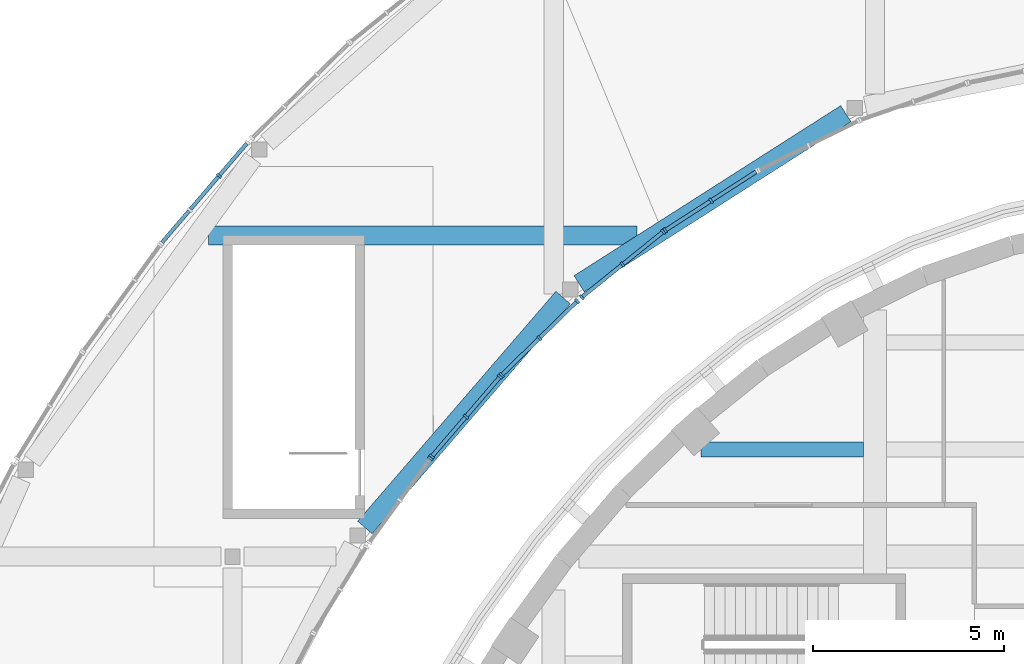
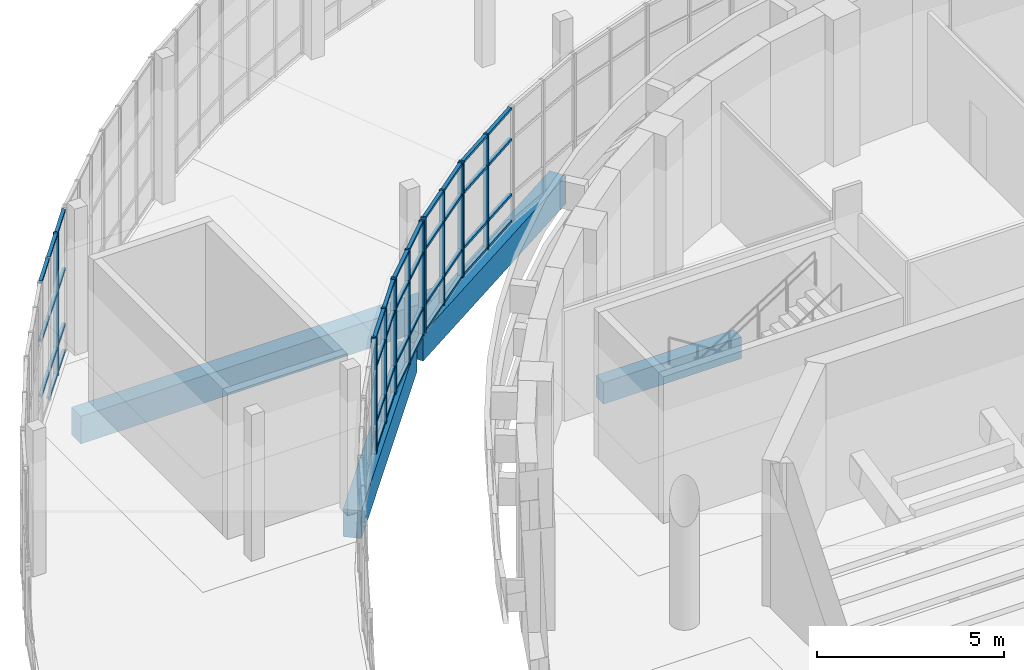
# One storey, part 19 of 103: 56 members, 4 beams, 6 elements without a shape of their own.
"""IFC4 building model written with IfcOpenShell, lengths in metres."""

from ifc_helpers import new_model, si_unit, direction, frame, origin, origin_2d, place, context, subcontext, project, spatial, rectangle, extrude, material, layer, layer_set, material_profile, profile_set, type_object, element, aggregate, save


model = new_model("IFC4")

# Units and contexts
model_context = context("Model", 3, precision=1e-05, world=origin(), true_north=direction((0.0, 1.0)))
body_context = subcontext(model_context, "Body", "Model", "MODEL_VIEW")
ifc_project = project(units=[si_unit("LENGTHUNIT", "METRE"), si_unit("AREAUNIT", "SQUARE_METRE"), si_unit("VOLUMEUNIT", "CUBIC_METRE"), si_unit("PLANEANGLEUNIT", "RADIAN"), si_unit("MASSUNIT", "GRAM", prefix="KILO")], contexts=[model_context])

# Site, building, storey
site_placement = place(None, origin())
site = spatial("IfcSite", under=ifc_project, at=site_placement, CompositionType="ELEMENT")
building_placement = place(site_placement, origin())
building = spatial("IfcBuilding", under=site, at=building_placement, Name="Larchfold Concert Hall", CompositionType="ELEMENT")
storey_placement = place(building_placement, frame((0.0, 0.0, 9.60009765625)))
storey = spatial("IfcBuildingStorey", under=building, at=storey_placement, Name="L02", CompositionType="ELEMENT", Elevation=9.60009765625)

# Curtain wall, member
ifc_material_1 = material(Name="Anodised graphite aluminium curtain wall", Category="aluminium")
ifc_layer = layer(ifc_material_1, 0.14990234375)
ifc_layer_set = layer_set([ifc_layer], Name="Anodised graphite aluminium curtain wall")
curtain_wall_type = type_object("IfcCurtainWallType", Name="Curtain wall WG", PredefinedType="NOTDEFINED", material=ifc_layer_set)
curtain_wall_1_placement = place(storey_placement, origin())
curtain_wall_1 = element("IfcCurtainWall", 1, at=curtain_wall_1_placement, inside=storey, type_object=curtain_wall_type, Name="Curtain wall CW0234", PredefinedType="NOTDEFINED")
ifc_material_2 = material(Name="Anodised graphite aluminium mullion", Category="aluminium")
ifc_material_profile_1 = material_profile(ifc_material_2, rectangle(XDim=0.14990234375, YDim=0.06005859375, at=origin_2d()))
ifc_profile_set_1 = profile_set([ifc_material_profile_1], Name="Anodised graphite aluminium mullion")
member_type_1 = type_object("IfcMemberType", Name="Aluminium mullion 60x150", PredefinedType="MULLION", material=ifc_profile_set_1)
member_1_placement = place(storey_placement, frame((22.573974609375, 112.37158203125, 0.0), z_axis=(0.0, 0.0, 1.0), x_axis=(-0.809901790947, 0.586565502753, 0.0)))
member_1 = element("IfcMember", 2, at=member_1_placement, type_object=member_type_1, Name="CW0234 mullion 3", PredefinedType="MULLION", context=body_context, shape_type="SweptSolid", body=[
    extrude(rectangle(XDim=0.14990234375, YDim=0.06005859375, at=origin_2d()), origin(), (0.0, 0.0, 1.0), 3.75),
])
aggregate(curtain_wall_1, [member_1])

# Curtain wall, members
curtain_wall_2_placement = place(storey_placement, origin())
curtain_wall_2 = element("IfcCurtainWall", 3, at=curtain_wall_2_placement, inside=storey, type_object=curtain_wall_type, Name="Curtain wall CW0235", PredefinedType="NOTDEFINED")
member_2_placement = place(storey_placement, frame((22.611083984375, 112.418701171875, 0.0), z_axis=(0.0, 0.0, 1.0), x_axis=(-0.759495997398, 0.650511975245, 0.0)))
member_2 = element("IfcMember", 4, at=member_2_placement, type_object=member_type_1, Name="CW0235 mullion 1", PredefinedType="MULLION", context=body_context, shape_type="SweptSolid", body=[
    extrude(rectangle(XDim=0.14990234375, YDim=0.06005859375, at=origin_2d()), origin(), (0.0, 0.0, 1.0), 3.75),
])
member_3_placement = place(storey_placement, frame((23.504638671875, 113.4619140625, 0.0), z_axis=(0.0, 0.0, 1.0), x_axis=(-0.759495997398, 0.650511975245, 0.0)))
member_3 = element("IfcMember", 5, at=member_3_placement, type_object=member_type_1, Name="CW0235 mullion 2", PredefinedType="MULLION", context=body_context, shape_type="SweptSolid", body=[
    extrude(rectangle(XDim=0.14990234375, YDim=0.06005859375, at=origin_2d()), origin(), (0.0, 0.0, 1.0), 3.75),
])
member_4_placement = place(storey_placement, frame((24.39794921875, 114.505126953125, 0.0), z_axis=(0.0, 0.0, 1.0), x_axis=(-0.759495997398, 0.650511975245, 0.0)))
member_4 = element("IfcMember", 6, at=member_4_placement, type_object=member_type_1, Name="CW0235 mullion 3", PredefinedType="MULLION", context=body_context, shape_type="SweptSolid", body=[
    extrude(rectangle(XDim=0.14990234375, YDim=0.06005859375, at=origin_2d()), origin(), (0.0, 0.0, 1.0), 3.75),
])

curtain_wall_3_placement = place(storey_placement, origin())
curtain_wall_3 = element("IfcCurtainWall", 7, at=curtain_wall_3_placement, inside=storey, type_object=curtain_wall_type, Name="Curtain wall CW0236", PredefinedType="NOTDEFINED")
member_5_placement = place(storey_placement, frame((24.43896484375, 114.548828125, 0.0), z_axis=(0.0, 0.0, 1.0), x_axis=(-0.699104857997, 0.715019158852, 0.0)))
member_5 = element("IfcMember", 8, at=member_5_placement, type_object=member_type_1, Name="CW0236 mullion 1", PredefinedType="MULLION", context=body_context, shape_type="SweptSolid", body=[
    extrude(rectangle(XDim=0.14990234375, YDim=0.06005859375, at=origin_2d()), origin(), (0.0, 0.0, 1.0), 3.75),
])
member_6_placement = place(storey_placement, frame((25.4267578125, 115.514404296875, 0.0), z_axis=(0.0, 0.0, 1.0), x_axis=(-0.699104857997, 0.715019158852, 0.0)))
member_6 = element("IfcMember", 9, at=member_6_placement, type_object=member_type_1, Name="CW0236 mullion 2", PredefinedType="MULLION", context=body_context, shape_type="SweptSolid", body=[
    extrude(rectangle(XDim=0.14990234375, YDim=0.06005859375, at=origin_2d()), origin(), (0.0, 0.0, 1.0), 3.75),
])
member_7_placement = place(storey_placement, frame((26.414306640625, 116.480224609375, 0.0), z_axis=(0.0, 0.0, 1.0), x_axis=(-0.699104857997, 0.715019158852, 0.0)))
member_7 = element("IfcMember", 10, at=member_7_placement, type_object=member_type_1, Name="CW0236 mullion 3", PredefinedType="MULLION", context=body_context, shape_type="SweptSolid", body=[
    extrude(rectangle(XDim=0.14990234375, YDim=0.06005859375, at=origin_2d()), origin(), (0.0, 0.0, 1.0), 3.75),
])

curtain_wall_4_placement = place(storey_placement, origin())
curtain_wall_4 = element("IfcCurtainWall", 11, at=curtain_wall_4_placement, inside=storey, type_object=curtain_wall_type, Name="Curtain wall CW0237", PredefinedType="NOTDEFINED")
member_8_placement = place(storey_placement, frame((26.534423828125, 116.582763671875, 0.0), z_axis=(0.0, 0.0, 1.0), x_axis=(-0.626970640311, 0.779042884691, 0.0)))
member_8 = element("IfcMember", 12, at=member_8_placement, type_object=member_type_1, Name="CW0237 mullion 1", PredefinedType="MULLION", context=body_context, shape_type="SweptSolid", body=[
    extrude(rectangle(XDim=0.14990234375, YDim=0.06005859375, at=origin_2d()), origin(), (0.0, 0.0, 1.0), 3.75),
])
member_9_placement = place(storey_placement, frame((27.600341796875, 117.440673828125, 0.0), z_axis=(0.0, 0.0, 1.0), x_axis=(-0.626970640311, 0.779042884691, 0.0)))
member_9 = element("IfcMember", 13, at=member_9_placement, type_object=member_type_1, Name="CW0237 mullion 2", PredefinedType="MULLION", context=body_context, shape_type="SweptSolid", body=[
    extrude(rectangle(XDim=0.14990234375, YDim=0.06005859375, at=origin_2d()), origin(), (0.0, 0.0, 1.0), 3.75),
])
member_10_placement = place(storey_placement, frame((28.666259765625, 118.298583984375, 0.0), z_axis=(0.0, 0.0, 1.0), x_axis=(-0.626970640311, 0.779042884691, 0.0)))
member_10 = element("IfcMember", 14, at=member_10_placement, type_object=member_type_1, Name="CW0237 mullion 3", PredefinedType="MULLION", context=body_context, shape_type="SweptSolid", body=[
    extrude(rectangle(XDim=0.14990234375, YDim=0.06005859375, at=origin_2d()), origin(), (0.0, 0.0, 1.0), 3.75),
])

curtain_wall_5_placement = place(storey_placement, origin())
curtain_wall_5 = element("IfcCurtainWall", 15, at=curtain_wall_5_placement, inside=storey, type_object=curtain_wall_type, Name="Curtain wall CW0238", PredefinedType="NOTDEFINED")
member_11_placement = place(storey_placement, frame((28.71484375, 118.333740234375, 0.0), z_axis=(0.0, 0.0, 1.0), x_axis=(-0.541844610619, 0.840478683813, 0.0)))
member_11 = element("IfcMember", 16, at=member_11_placement, type_object=member_type_1, Name="CW0238 mullion 1", PredefinedType="MULLION", context=body_context, shape_type="SweptSolid", body=[
    extrude(rectangle(XDim=0.14990234375, YDim=0.06005859375, at=origin_2d()), origin(), (0.0, 0.0, 1.0), 3.75),
])
member_12_placement = place(storey_placement, frame((29.915283203125, 119.107421875, 0.0), z_axis=(0.0, 0.0, 1.0), x_axis=(-0.541844610619, 0.840478683813, 0.0)))
member_12 = element("IfcMember", 17, at=member_12_placement, type_object=member_type_1, Name="CW0238 mullion 2", PredefinedType="MULLION", context=body_context, shape_type="SweptSolid", body=[
    extrude(rectangle(XDim=0.14990234375, YDim=0.06005859375, at=origin_2d()), origin(), (0.0, 0.0, 1.0), 3.75),
])

# Curtain wall, member
curtain_wall_6_placement = place(storey_placement, origin())
curtain_wall_6 = element("IfcCurtainWall", 18, at=curtain_wall_6_placement, inside=storey, type_object=curtain_wall_type, Name="Curtain wall CW0262", PredefinedType="NOTDEFINED")
member_13_placement = place(storey_placement, frame((17.04736328125, 119.758056640625, 0.0), z_axis=(0.0, 0.0, 1.0), x_axis=(0.759452023093, -0.650563313306, 0.0)))
member_13 = element("IfcMember", 19, at=member_13_placement, type_object=member_type_1, Name="CW0262 mullion 2", PredefinedType="MULLION", context=body_context, shape_type="SweptSolid", body=[
    extrude(rectangle(XDim=0.14990234375, YDim=0.06005859375, at=origin_2d()), origin(), (0.0, 0.0, 1.0), 4.64990234375),
])

# Member
ifc_material_3 = material(Name="Anodised graphite aluminium transom", Category="aluminium")
ifc_material_profile_2 = material_profile(ifc_material_3, rectangle(XDim=0.10009765625, YDim=0.080078125, at=origin_2d()))
ifc_profile_set_2 = profile_set([ifc_material_profile_2], Name="Anodised graphite aluminium transom")
member_type_2 = type_object("IfcMemberType", Name="Aluminium transom 80x100", PredefinedType="USERDEFINED", material=ifc_profile_set_2)
member_14_placement = place(storey_placement, frame((22.630615234375, 112.441650390625, 0.0400390625), z_axis=(0.650546428002, 0.759466487091, 0.0), x_axis=(-0.759466487091, 0.650546428002, 0.0)))
member_14 = element("IfcMember", 20, at=member_14_placement, type_object=member_type_2, Name="CW0235 transom 1.1", ObjectType="TRANSOM", PredefinedType="USERDEFINED", context=body_context, shape_type="SweptSolid", body=[
    extrude(rectangle(XDim=0.10009765625, YDim=0.080078125, at=origin_2d()), origin(), (0.0, 0.0, 1.0), 1.3134765625),
])

member_15_placement = place(storey_placement, frame((22.630615234375, 112.441650390625, 0.89990234375), z_axis=(0.650546428002, 0.759466487091, 0.0), x_axis=(-0.759466487091, 0.650546428002, 0.0)))
member_15 = element("IfcMember", 21, at=member_15_placement, type_object=member_type_2, Name="CW0235 transom 1.2", ObjectType="TRANSOM", PredefinedType="USERDEFINED", context=body_context, shape_type="SweptSolid", body=[
    extrude(rectangle(XDim=0.10009765625, YDim=0.080078125, at=origin_2d()), origin(), (0.0, 0.0, 1.0), 1.3134765625),
])

member_16_placement = place(storey_placement, frame((22.630615234375, 112.441650390625, 2.699951171875), z_axis=(0.650546428002, 0.759466487091, 0.0), x_axis=(-0.759466487091, 0.650546428002, 0.0)))
member_16 = element("IfcMember", 22, at=member_16_placement, type_object=member_type_2, Name="CW0235 transom 1.3", ObjectType="TRANSOM", PredefinedType="USERDEFINED", context=body_context, shape_type="SweptSolid", body=[
    extrude(rectangle(XDim=0.10009765625, YDim=0.080078125, at=origin_2d()), origin(), (0.0, 0.0, 1.0), 1.3134765625),
])

member_17_placement = place(storey_placement, frame((22.630615234375, 112.441650390625, 3.7099609375), z_axis=(0.650546428002, 0.759466487091, 0.0), x_axis=(-0.759466487091, 0.650546428002, 0.0)))
member_17 = element("IfcMember", 23, at=member_17_placement, type_object=member_type_2, Name="CW0235 transom 1.4", ObjectType="TRANSOM", PredefinedType="USERDEFINED", context=body_context, shape_type="SweptSolid", body=[
    extrude(rectangle(XDim=0.10009765625, YDim=0.080078125, at=origin_2d()), origin(), (0.0, 0.0, 1.0), 1.3134765625),
])

member_18_placement = place(storey_placement, frame((23.52392578125, 113.484619140625, 0.0400390625), z_axis=(0.650546428002, 0.759466487091, 0.0), x_axis=(-0.759466487091, 0.650546428002, 0.0)))
member_18 = element("IfcMember", 24, at=member_18_placement, type_object=member_type_2, Name="CW0235 transom 2.1", ObjectType="TRANSOM", PredefinedType="USERDEFINED", context=body_context, shape_type="SweptSolid", body=[
    extrude(rectangle(XDim=0.10009765625, YDim=0.080078125, at=origin_2d()), origin(), (0.0, 0.0, 1.0), 1.3134765625),
])

member_19_placement = place(storey_placement, frame((23.52392578125, 113.484619140625, 0.89990234375), z_axis=(0.650546428002, 0.759466487091, 0.0), x_axis=(-0.759466487091, 0.650546428002, 0.0)))
member_19 = element("IfcMember", 25, at=member_19_placement, type_object=member_type_2, Name="CW0235 transom 2.2", ObjectType="TRANSOM", PredefinedType="USERDEFINED", context=body_context, shape_type="SweptSolid", body=[
    extrude(rectangle(XDim=0.10009765625, YDim=0.080078125, at=origin_2d()), origin(), (0.0, 0.0, 1.0), 1.3134765625),
])

member_20_placement = place(storey_placement, frame((23.52392578125, 113.484619140625, 2.699951171875), z_axis=(0.650546428002, 0.759466487091, 0.0), x_axis=(-0.759466487091, 0.650546428002, 0.0)))
member_20 = element("IfcMember", 26, at=member_20_placement, type_object=member_type_2, Name="CW0235 transom 2.3", ObjectType="TRANSOM", PredefinedType="USERDEFINED", context=body_context, shape_type="SweptSolid", body=[
    extrude(rectangle(XDim=0.10009765625, YDim=0.080078125, at=origin_2d()), origin(), (0.0, 0.0, 1.0), 1.3134765625),
])

member_21_placement = place(storey_placement, frame((23.52392578125, 113.484619140625, 3.7099609375), z_axis=(0.650546428002, 0.759466487091, 0.0), x_axis=(-0.759466487091, 0.650546428002, 0.0)))
member_21 = element("IfcMember", 27, at=member_21_placement, type_object=member_type_2, Name="CW0235 transom 2.4", ObjectType="TRANSOM", PredefinedType="USERDEFINED", context=body_context, shape_type="SweptSolid", body=[
    extrude(rectangle(XDim=0.10009765625, YDim=0.080078125, at=origin_2d()), origin(), (0.0, 0.0, 1.0), 1.3134765625),
])

aggregate(curtain_wall_2, [member_2, member_3, member_4, member_14, member_15, member_16, member_17, member_18, member_19, member_20, member_21])

member_22_placement = place(storey_placement, frame((24.46044921875, 114.56982421875, 0.0400390625), z_axis=(0.715006669013, 0.699117631924, 0.0), x_axis=(-0.699117631924, 0.715006669013, 0.0)))
member_22 = element("IfcMember", 28, at=member_22_placement, type_object=member_type_2, Name="CW0236 transom 1.1", ObjectType="TRANSOM", PredefinedType="USERDEFINED", context=body_context, shape_type="SweptSolid", body=[
    extrude(rectangle(XDim=0.10009765625, YDim=0.080078125, at=origin_2d()), origin(), (0.0, 0.0, 1.0), 1.321533203125),
])

member_23_placement = place(storey_placement, frame((24.46044921875, 114.56982421875, 0.89990234375), z_axis=(0.715006669013, 0.699117631924, 0.0), x_axis=(-0.699117631924, 0.715006669013, 0.0)))
member_23 = element("IfcMember", 29, at=member_23_placement, type_object=member_type_2, Name="CW0236 transom 1.2", ObjectType="TRANSOM", PredefinedType="USERDEFINED", context=body_context, shape_type="SweptSolid", body=[
    extrude(rectangle(XDim=0.10009765625, YDim=0.080078125, at=origin_2d()), origin(), (0.0, 0.0, 1.0), 1.321533203125),
])

member_24_placement = place(storey_placement, frame((24.46044921875, 114.56982421875, 2.699951171875), z_axis=(0.715006669013, 0.699117631924, 0.0), x_axis=(-0.699117631924, 0.715006669013, 0.0)))
member_24 = element("IfcMember", 30, at=member_24_placement, type_object=member_type_2, Name="CW0236 transom 1.3", ObjectType="TRANSOM", PredefinedType="USERDEFINED", context=body_context, shape_type="SweptSolid", body=[
    extrude(rectangle(XDim=0.10009765625, YDim=0.080078125, at=origin_2d()), origin(), (0.0, 0.0, 1.0), 1.321533203125),
])

member_25_placement = place(storey_placement, frame((24.46044921875, 114.56982421875, 3.7099609375), z_axis=(0.715006669013, 0.699117631924, 0.0), x_axis=(-0.699117631924, 0.715006669013, 0.0)))
member_25 = element("IfcMember", 31, at=member_25_placement, type_object=member_type_2, Name="CW0236 transom 1.4", ObjectType="TRANSOM", PredefinedType="USERDEFINED", context=body_context, shape_type="SweptSolid", body=[
    extrude(rectangle(XDim=0.10009765625, YDim=0.080078125, at=origin_2d()), origin(), (0.0, 0.0, 1.0), 1.321533203125),
])

member_26_placement = place(storey_placement, frame((25.447998046875, 115.535400390625, 0.0400390625), z_axis=(0.715006669013, 0.699117631924, 0.0), x_axis=(-0.699117631924, 0.715006669013, 0.0)))
member_26 = element("IfcMember", 32, at=member_26_placement, type_object=member_type_2, Name="CW0236 transom 2.1", ObjectType="TRANSOM", PredefinedType="USERDEFINED", context=body_context, shape_type="SweptSolid", body=[
    extrude(rectangle(XDim=0.10009765625, YDim=0.080078125, at=origin_2d()), origin(), (0.0, 0.0, 1.0), 1.321533203125),
])

member_27_placement = place(storey_placement, frame((25.447998046875, 115.535400390625, 0.89990234375), z_axis=(0.715006669013, 0.699117631924, 0.0), x_axis=(-0.699117631924, 0.715006669013, 0.0)))
member_27 = element("IfcMember", 33, at=member_27_placement, type_object=member_type_2, Name="CW0236 transom 2.2", ObjectType="TRANSOM", PredefinedType="USERDEFINED", context=body_context, shape_type="SweptSolid", body=[
    extrude(rectangle(XDim=0.10009765625, YDim=0.080078125, at=origin_2d()), origin(), (0.0, 0.0, 1.0), 1.321533203125),
])

member_28_placement = place(storey_placement, frame((25.447998046875, 115.535400390625, 2.699951171875), z_axis=(0.715006669013, 0.699117631924, 0.0), x_axis=(-0.699117631924, 0.715006669013, 0.0)))
member_28 = element("IfcMember", 34, at=member_28_placement, type_object=member_type_2, Name="CW0236 transom 2.3", ObjectType="TRANSOM", PredefinedType="USERDEFINED", context=body_context, shape_type="SweptSolid", body=[
    extrude(rectangle(XDim=0.10009765625, YDim=0.080078125, at=origin_2d()), origin(), (0.0, 0.0, 1.0), 1.321533203125),
])

member_29_placement = place(storey_placement, frame((25.447998046875, 115.535400390625, 3.7099609375), z_axis=(0.715006669013, 0.699117631924, 0.0), x_axis=(-0.699117631924, 0.715006669013, 0.0)))
member_29 = element("IfcMember", 35, at=member_29_placement, type_object=member_type_2, Name="CW0236 transom 2.4", ObjectType="TRANSOM", PredefinedType="USERDEFINED", context=body_context, shape_type="SweptSolid", body=[
    extrude(rectangle(XDim=0.10009765625, YDim=0.080078125, at=origin_2d()), origin(), (0.0, 0.0, 1.0), 1.321533203125),
])

aggregate(curtain_wall_3, [member_5, member_6, member_7, member_22, member_23, member_24, member_25, member_26, member_27, member_28, member_29])

member_30_placement = place(storey_placement, frame((26.5576171875, 116.6015625, 0.0400390625), z_axis=(0.779045029222, 0.626967975613, 0.0), x_axis=(-0.626967975613, 0.779045029222, 0.0)))
member_30 = element("IfcMember", 36, at=member_30_placement, type_object=member_type_2, Name="CW0237 transom 1.1", ObjectType="TRANSOM", PredefinedType="USERDEFINED", context=body_context, shape_type="SweptSolid", body=[
    extrude(rectangle(XDim=0.10009765625, YDim=0.080078125, at=origin_2d()), origin(), (0.0, 0.0, 1.0), 1.308349609375),
])

member_31_placement = place(storey_placement, frame((26.5576171875, 116.6015625, 0.89990234375), z_axis=(0.779045029222, 0.626967975613, 0.0), x_axis=(-0.626967975613, 0.779045029222, 0.0)))
member_31 = element("IfcMember", 37, at=member_31_placement, type_object=member_type_2, Name="CW0237 transom 1.2", ObjectType="TRANSOM", PredefinedType="USERDEFINED", context=body_context, shape_type="SweptSolid", body=[
    extrude(rectangle(XDim=0.10009765625, YDim=0.080078125, at=origin_2d()), origin(), (0.0, 0.0, 1.0), 1.308349609375),
])

member_32_placement = place(storey_placement, frame((26.5576171875, 116.6015625, 2.699951171875), z_axis=(0.779045029222, 0.626967975613, 0.0), x_axis=(-0.626967975613, 0.779045029222, 0.0)))
member_32 = element("IfcMember", 38, at=member_32_placement, type_object=member_type_2, Name="CW0237 transom 1.3", ObjectType="TRANSOM", PredefinedType="USERDEFINED", context=body_context, shape_type="SweptSolid", body=[
    extrude(rectangle(XDim=0.10009765625, YDim=0.080078125, at=origin_2d()), origin(), (0.0, 0.0, 1.0), 1.308349609375),
])

member_33_placement = place(storey_placement, frame((26.5576171875, 116.6015625, 3.7099609375), z_axis=(0.779045029222, 0.626967975613, 0.0), x_axis=(-0.626967975613, 0.779045029222, 0.0)))
member_33 = element("IfcMember", 39, at=member_33_placement, type_object=member_type_2, Name="CW0237 transom 1.4", ObjectType="TRANSOM", PredefinedType="USERDEFINED", context=body_context, shape_type="SweptSolid", body=[
    extrude(rectangle(XDim=0.10009765625, YDim=0.080078125, at=origin_2d()), origin(), (0.0, 0.0, 1.0), 1.308349609375),
])

member_34_placement = place(storey_placement, frame((27.623779296875, 117.45947265625, 0.0400390625), z_axis=(0.779045029222, 0.626967975613, 0.0), x_axis=(-0.626967975613, 0.779045029222, 0.0)))
member_34 = element("IfcMember", 40, at=member_34_placement, type_object=member_type_2, Name="CW0237 transom 2.1", ObjectType="TRANSOM", PredefinedType="USERDEFINED", context=body_context, shape_type="SweptSolid", body=[
    extrude(rectangle(XDim=0.10009765625, YDim=0.080078125, at=origin_2d()), origin(), (0.0, 0.0, 1.0), 1.308349609375),
])

member_35_placement = place(storey_placement, frame((27.623779296875, 117.45947265625, 0.89990234375), z_axis=(0.779045029222, 0.626967975613, 0.0), x_axis=(-0.626967975613, 0.779045029222, 0.0)))
member_35 = element("IfcMember", 41, at=member_35_placement, type_object=member_type_2, Name="CW0237 transom 2.2", ObjectType="TRANSOM", PredefinedType="USERDEFINED", context=body_context, shape_type="SweptSolid", body=[
    extrude(rectangle(XDim=0.10009765625, YDim=0.080078125, at=origin_2d()), origin(), (0.0, 0.0, 1.0), 1.308349609375),
])

member_36_placement = place(storey_placement, frame((27.623779296875, 117.45947265625, 2.699951171875), z_axis=(0.779045029222, 0.626967975613, 0.0), x_axis=(-0.626967975613, 0.779045029222, 0.0)))
member_36 = element("IfcMember", 42, at=member_36_placement, type_object=member_type_2, Name="CW0237 transom 2.3", ObjectType="TRANSOM", PredefinedType="USERDEFINED", context=body_context, shape_type="SweptSolid", body=[
    extrude(rectangle(XDim=0.10009765625, YDim=0.080078125, at=origin_2d()), origin(), (0.0, 0.0, 1.0), 1.308349609375),
])

member_37_placement = place(storey_placement, frame((27.623779296875, 117.45947265625, 3.7099609375), z_axis=(0.779045029222, 0.626967975613, 0.0), x_axis=(-0.626967975613, 0.779045029222, 0.0)))
member_37 = element("IfcMember", 43, at=member_37_placement, type_object=member_type_2, Name="CW0237 transom 2.4", ObjectType="TRANSOM", PredefinedType="USERDEFINED", context=body_context, shape_type="SweptSolid", body=[
    extrude(rectangle(XDim=0.10009765625, YDim=0.080078125, at=origin_2d()), origin(), (0.0, 0.0, 1.0), 1.308349609375),
])

aggregate(curtain_wall_4, [member_8, member_9, member_10, member_30, member_31, member_32, member_33, member_34, member_35, member_36, member_37])

member_38_placement = place(storey_placement, frame((28.740234375, 118.349853515625, 0.0400390625), z_axis=(0.840464466125, 0.541866663656, 0.0), x_axis=(-0.541866663656, 0.840464466125, 0.0)))
member_38 = element("IfcMember", 44, at=member_38_placement, type_object=member_type_2, Name="CW0238 transom 1.1", ObjectType="TRANSOM", PredefinedType="USERDEFINED", context=body_context, shape_type="SweptSolid", body=[
    extrude(rectangle(XDim=0.10009765625, YDim=0.080078125, at=origin_2d()), origin(), (0.0, 0.0, 1.0), 1.367919921875),
])

member_39_placement = place(storey_placement, frame((28.740234375, 118.349853515625, 0.89990234375), z_axis=(0.840464466125, 0.541866663656, 0.0), x_axis=(-0.541866663656, 0.840464466125, 0.0)))
member_39 = element("IfcMember", 45, at=member_39_placement, type_object=member_type_2, Name="CW0238 transom 1.2", ObjectType="TRANSOM", PredefinedType="USERDEFINED", context=body_context, shape_type="SweptSolid", body=[
    extrude(rectangle(XDim=0.10009765625, YDim=0.080078125, at=origin_2d()), origin(), (0.0, 0.0, 1.0), 1.367919921875),
])

member_40_placement = place(storey_placement, frame((28.740234375, 118.349853515625, 2.699951171875), z_axis=(0.840464466125, 0.541866663656, 0.0), x_axis=(-0.541866663656, 0.840464466125, 0.0)))
member_40 = element("IfcMember", 46, at=member_40_placement, type_object=member_type_2, Name="CW0238 transom 1.3", ObjectType="TRANSOM", PredefinedType="USERDEFINED", context=body_context, shape_type="SweptSolid", body=[
    extrude(rectangle(XDim=0.10009765625, YDim=0.080078125, at=origin_2d()), origin(), (0.0, 0.0, 1.0), 1.367919921875),
])

member_41_placement = place(storey_placement, frame((28.740234375, 118.349853515625, 3.7099609375), z_axis=(0.840464466125, 0.541866663656, 0.0), x_axis=(-0.541866663656, 0.840464466125, 0.0)))
member_41 = element("IfcMember", 47, at=member_41_placement, type_object=member_type_2, Name="CW0238 transom 1.4", ObjectType="TRANSOM", PredefinedType="USERDEFINED", context=body_context, shape_type="SweptSolid", body=[
    extrude(rectangle(XDim=0.10009765625, YDim=0.080078125, at=origin_2d()), origin(), (0.0, 0.0, 1.0), 1.367919921875),
])

member_42_placement = place(storey_placement, frame((29.9404296875, 119.123779296875, 0.0400390625), z_axis=(0.840464466125, 0.541866663656, 0.0), x_axis=(-0.541866663656, 0.840464466125, 0.0)))
member_42 = element("IfcMember", 48, at=member_42_placement, type_object=member_type_2, Name="CW0238 transom 2.1", ObjectType="TRANSOM", PredefinedType="USERDEFINED", context=body_context, shape_type="SweptSolid", body=[
    extrude(rectangle(XDim=0.10009765625, YDim=0.080078125, at=origin_2d()), origin(), (0.0, 0.0, 1.0), 1.367919921875),
])

member_43_placement = place(storey_placement, frame((29.9404296875, 119.123779296875, 0.89990234375), z_axis=(0.840464466125, 0.541866663656, 0.0), x_axis=(-0.541866663656, 0.840464466125, 0.0)))
member_43 = element("IfcMember", 49, at=member_43_placement, type_object=member_type_2, Name="CW0238 transom 2.2", ObjectType="TRANSOM", PredefinedType="USERDEFINED", context=body_context, shape_type="SweptSolid", body=[
    extrude(rectangle(XDim=0.10009765625, YDim=0.080078125, at=origin_2d()), origin(), (0.0, 0.0, 1.0), 1.367919921875),
])

member_44_placement = place(storey_placement, frame((29.9404296875, 119.123779296875, 2.699951171875), z_axis=(0.840464466125, 0.541866663656, 0.0), x_axis=(-0.541866663656, 0.840464466125, 0.0)))
member_44 = element("IfcMember", 50, at=member_44_placement, type_object=member_type_2, Name="CW0238 transom 2.3", ObjectType="TRANSOM", PredefinedType="USERDEFINED", context=body_context, shape_type="SweptSolid", body=[
    extrude(rectangle(XDim=0.10009765625, YDim=0.080078125, at=origin_2d()), origin(), (0.0, 0.0, 1.0), 1.367919921875),
])

member_45_placement = place(storey_placement, frame((29.9404296875, 119.123779296875, 3.7099609375), z_axis=(0.840464466125, 0.541866663656, 0.0), x_axis=(-0.541866663656, 0.840464466125, 0.0)))
member_45 = element("IfcMember", 51, at=member_45_placement, type_object=member_type_2, Name="CW0238 transom 2.4", ObjectType="TRANSOM", PredefinedType="USERDEFINED", context=body_context, shape_type="SweptSolid", body=[
    extrude(rectangle(XDim=0.10009765625, YDim=0.080078125, at=origin_2d()), origin(), (0.0, 0.0, 1.0), 1.367919921875),
])

aggregate(curtain_wall_5, [member_11, member_12, member_38, member_39, member_40, member_41, member_42, member_43, member_44, member_45])

member_46_placement = place(storey_placement, frame((17.773193359375, 120.605224609375, 0.0400390625), z_axis=(-0.650587632141, -0.759431190369, 0.0), x_axis=(0.759431190369, -0.650587632141, 0.0)))
member_46 = element("IfcMember", 52, at=member_46_placement, type_object=member_type_2, Name="CW0262 transom 1.1", ObjectType="TRANSOM", PredefinedType="USERDEFINED", context=body_context, shape_type="SweptSolid", body=[
    extrude(rectangle(XDim=0.10009765625, YDim=0.080078125, at=origin_2d()), origin(), (0.0, 0.0, 1.0), 1.085693359375),
])

member_47_placement = place(storey_placement, frame((17.773193359375, 120.605224609375, 0.89990234375), z_axis=(-0.650587632141, -0.759431190369, 0.0), x_axis=(0.759431190369, -0.650587632141, 0.0)))
member_47 = element("IfcMember", 53, at=member_47_placement, type_object=member_type_2, Name="CW0262 transom 1.2", ObjectType="TRANSOM", PredefinedType="USERDEFINED", context=body_context, shape_type="SweptSolid", body=[
    extrude(rectangle(XDim=0.10009765625, YDim=0.080078125, at=origin_2d()), origin(), (0.0, 0.0, 1.0), 1.085693359375),
])

member_48_placement = place(storey_placement, frame((17.773193359375, 120.605224609375, 2.699951171875), z_axis=(-0.650587632141, -0.759431190369, 0.0), x_axis=(0.759431190369, -0.650587632141, 0.0)))
member_48 = element("IfcMember", 54, at=member_48_placement, type_object=member_type_2, Name="CW0262 transom 1.3", ObjectType="TRANSOM", PredefinedType="USERDEFINED", context=body_context, shape_type="SweptSolid", body=[
    extrude(rectangle(XDim=0.10009765625, YDim=0.080078125, at=origin_2d()), origin(), (0.0, 0.0, 1.0), 1.085693359375),
])

member_49_placement = place(storey_placement, frame((17.773193359375, 120.605224609375, 4.60986328125), z_axis=(-0.650587632141, -0.759431190369, 0.0), x_axis=(0.759431190369, -0.650587632141, 0.0)))
member_49 = element("IfcMember", 55, at=member_49_placement, type_object=member_type_2, Name="CW0262 transom 1.4", ObjectType="TRANSOM", PredefinedType="USERDEFINED", context=body_context, shape_type="SweptSolid", body=[
    extrude(rectangle(XDim=0.10009765625, YDim=0.080078125, at=origin_2d()), origin(), (0.0, 0.0, 1.0), 1.085693359375),
])

member_50_placement = place(storey_placement, frame((17.02783203125, 119.7353515625, 0.0400390625), z_axis=(-0.65039479672, -0.759596345699, 0.0), x_axis=(0.759596345699, -0.65039479672, 0.0)))
member_50 = element("IfcMember", 56, at=member_50_placement, type_object=member_type_2, Name="CW0262 transom 2.1", ObjectType="TRANSOM", PredefinedType="USERDEFINED", context=body_context, shape_type="SweptSolid", body=[
    extrude(rectangle(XDim=0.10009765625, YDim=0.080078125, at=origin_2d()), origin(), (0.0, 0.0, 1.0), 1.11572265625),
])

member_51_placement = place(storey_placement, frame((17.02783203125, 119.7353515625, 0.89990234375), z_axis=(-0.65039479672, -0.759596345699, 0.0), x_axis=(0.759596345699, -0.65039479672, 0.0)))
member_51 = element("IfcMember", 57, at=member_51_placement, type_object=member_type_2, Name="CW0262 transom 2.2", ObjectType="TRANSOM", PredefinedType="USERDEFINED", context=body_context, shape_type="SweptSolid", body=[
    extrude(rectangle(XDim=0.10009765625, YDim=0.080078125, at=origin_2d()), origin(), (0.0, 0.0, 1.0), 1.11572265625),
])

member_52_placement = place(storey_placement, frame((17.02783203125, 119.7353515625, 2.699951171875), z_axis=(-0.65039479672, -0.759596345699, 0.0), x_axis=(0.759596345699, -0.65039479672, 0.0)))
member_52 = element("IfcMember", 58, at=member_52_placement, type_object=member_type_2, Name="CW0262 transom 2.3", ObjectType="TRANSOM", PredefinedType="USERDEFINED", context=body_context, shape_type="SweptSolid", body=[
    extrude(rectangle(XDim=0.10009765625, YDim=0.080078125, at=origin_2d()), origin(), (0.0, 0.0, 1.0), 1.11572265625),
])

member_53_placement = place(storey_placement, frame((17.02783203125, 119.7353515625, 4.60986328125), z_axis=(-0.65039479672, -0.759596345699, 0.0), x_axis=(0.759596345699, -0.65039479672, 0.0)))
member_53 = element("IfcMember", 59, at=member_53_placement, type_object=member_type_2, Name="CW0262 transom 2.4", ObjectType="TRANSOM", PredefinedType="USERDEFINED", context=body_context, shape_type="SweptSolid", body=[
    extrude(rectangle(XDim=0.10009765625, YDim=0.080078125, at=origin_2d()), origin(), (0.0, 0.0, 1.0), 1.11572265625),
])

member_54_placement = place(storey_placement, frame((16.26318359375, 118.842529296875, 0.89990234375), z_axis=(-0.650587632141, -0.759431190369, 0.0), x_axis=(0.759431190369, -0.650587632141, 0.0)))
member_54 = element("IfcMember", 60, at=member_54_placement, type_object=member_type_2, Name="CW0262 transom 3.2", ObjectType="TRANSOM", PredefinedType="USERDEFINED", context=body_context, shape_type="SweptSolid", body=[
    extrude(rectangle(XDim=0.10009765625, YDim=0.080078125, at=origin_2d()), origin(), (0.0, 0.0, 1.0), 1.085693359375),
])

member_55_placement = place(storey_placement, frame((16.26318359375, 118.842529296875, 2.699951171875), z_axis=(-0.650587632141, -0.759431190369, 0.0), x_axis=(0.759431190369, -0.650587632141, 0.0)))
member_55 = element("IfcMember", 61, at=member_55_placement, type_object=member_type_2, Name="CW0262 transom 3.3", ObjectType="TRANSOM", PredefinedType="USERDEFINED", context=body_context, shape_type="SweptSolid", body=[
    extrude(rectangle(XDim=0.10009765625, YDim=0.080078125, at=origin_2d()), origin(), (0.0, 0.0, 1.0), 1.085693359375),
])

member_56_placement = place(storey_placement, frame((16.26318359375, 118.842529296875, 4.60986328125), z_axis=(-0.650587632141, -0.759431190369, 0.0), x_axis=(0.759431190369, -0.650587632141, 0.0)))
member_56 = element("IfcMember", 62, at=member_56_placement, type_object=member_type_2, Name="CW0262 transom 3.4", ObjectType="TRANSOM", PredefinedType="USERDEFINED", context=body_context, shape_type="SweptSolid", body=[
    extrude(rectangle(XDim=0.10009765625, YDim=0.080078125, at=origin_2d()), origin(), (0.0, 0.0, 1.0), 1.085693359375),
])

aggregate(curtain_wall_6, [member_13, member_46, member_47, member_48, member_49, member_50, member_51, member_52, member_53, member_54, member_55, member_56])

# Beams
ifc_material_4 = material(Name="Concrete C35/45", Category="concrete")
ifc_material_profile_3 = material_profile(ifc_material_4, rectangle(XDim=0.39990234375, YDim=0.699951171875, at=origin_2d()))
ifc_profile_set_3 = profile_set([ifc_material_profile_3], Name="Concrete C35/45")
beam_type_1 = type_object("IfcBeamType", Name="Beam RC 400x700", PredefinedType="BEAM", material=ifc_profile_set_3)
beam_1_placement = place(storey_placement, frame((29.65478515625, 112.60009765625, -0.550048828125), z_axis=(1.0, 0.0, 0.0), x_axis=(0.0, 1.0, 0.0)))
element("IfcBeam", 63, at=beam_1_placement, inside=storey, type_object=beam_type_1, Name="Beam B1345", PredefinedType="BEAM", context=body_context, shape_type="SweptSolid", body=[
    extrude(rectangle(XDim=0.39990234375, YDim=0.699951171875, at=origin_2d()), origin(), (0.0, 0.0, 1.0), 4.2451171875),
])
ifc_material_5 = material(Name="Concrete C35/45", Category="concrete")
ifc_material_profile_4 = material_profile(ifc_material_5, rectangle(XDim=0.5, YDim=0.89990234375, at=origin_2d()))
ifc_profile_set_4 = profile_set([ifc_material_profile_4], Name="Concrete C35/45")
beam_type_2 = type_object("IfcBeamType", Name="Beam RC 500x900", PredefinedType="BEAM", material=ifc_profile_set_4)
beam_2_placement = place(storey_placement, frame((33.43994140625, 121.384521484375, -0.60009765625), z_axis=(-0.843143411059, -0.537688746756, 0.0), x_axis=(0.537688746756, -0.843143411059, 0.0)))
element("IfcBeam", 64, at=beam_2_placement, inside=storey, type_object=beam_type_2, Name="Beam B1953", PredefinedType="BEAM", context=body_context, shape_type="SweptSolid", body=[
    extrude(rectangle(XDim=0.5, YDim=0.89990234375, at=origin_2d()), origin(), (0.0, 0.0, 1.0), 8.2724609375),
])
beam_3_placement = place(storey_placement, frame((26.046142578125, 116.573974609375, -0.60009765625), z_axis=(-0.653186585246, -0.757196992106, 0.0), x_axis=(0.757196992106, -0.653186585246, 0.0)))
element("IfcBeam", 65, at=beam_3_placement, inside=storey, type_object=beam_type_2, Name="Beam B1954", PredefinedType="BEAM", context=body_context, shape_type="SweptSolid", body=[
    extrude(rectangle(XDim=0.5, YDim=0.89990234375, at=origin_2d()), origin(), (0.0, 0.0, 1.0), 7.9384765625),
])
beam_4_placement = place(storey_placement, frame((16.76904296875, 118.199951171875, -0.60009765625), z_axis=(1.0, 0.0, 0.0), x_axis=(0.0, 1.0, 0.0)))
element("IfcBeam", 66, at=beam_4_placement, inside=storey, type_object=beam_type_2, Name="Beam B1998", PredefinedType="BEAM", context=body_context, shape_type="SweptSolid", body=[
    extrude(rectangle(XDim=0.5, YDim=0.89990234375, at=origin_2d()), origin(), (0.0, 0.0, 1.0), 11.21240234375),
])

save(model, "model.ifc")
